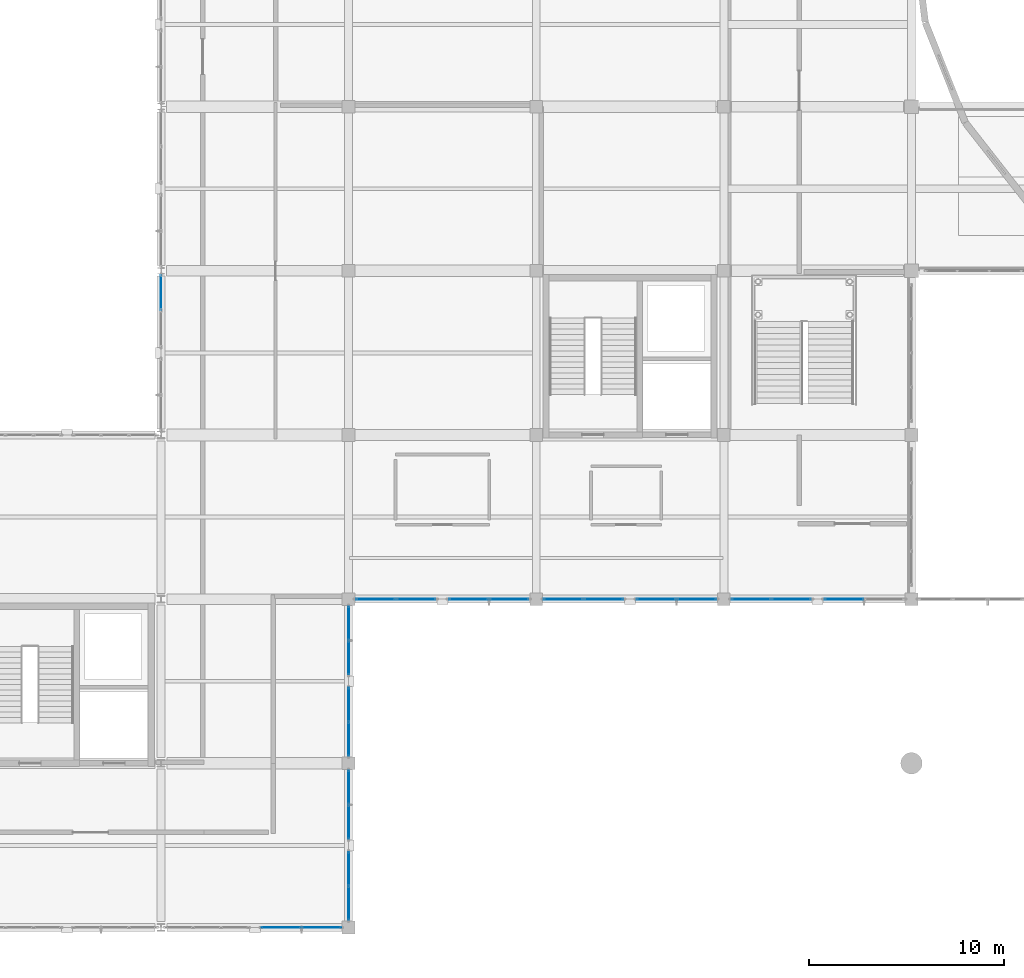
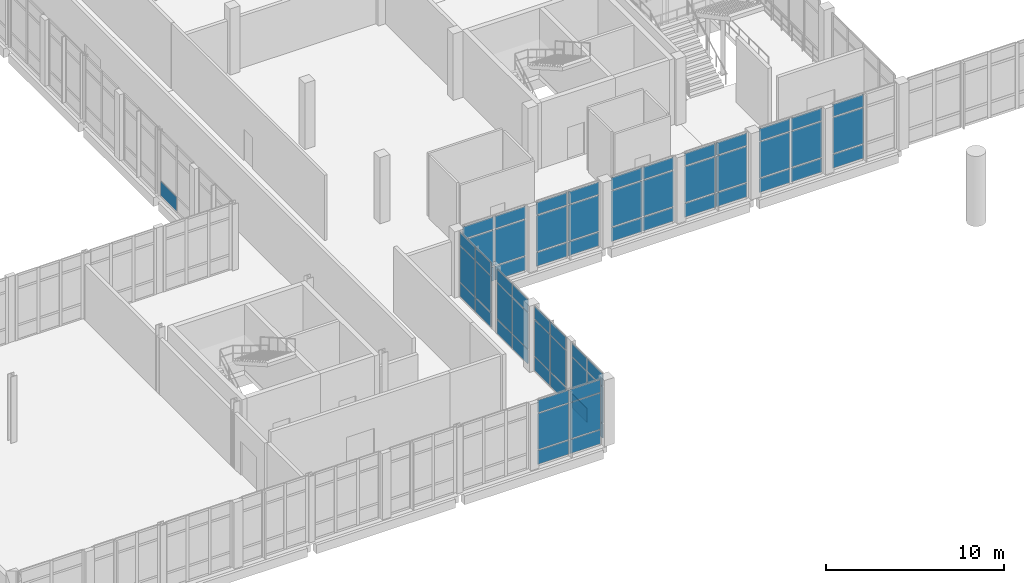
# One storey, part 76 of 102: 64 plates, 12 elements without a shape of their own.
"""IFC4 building model written with IfcOpenShell, lengths in metres."""

from ifc_helpers import new_model, si_unit, direction, frame, origin, origin_2d, place, context, subcontext, project, spatial, rectangle, extrude, material, layer, layer_set, type_object, element, aggregate, save


model = new_model("IFC4")

# Units and contexts
model_context = context("Model", 3, precision=1e-05, world=origin(), true_north=direction((0.0, 1.0)))
body_context = subcontext(model_context, "Body", "Model", "MODEL_VIEW")
ifc_project = project(units=[si_unit("LENGTHUNIT", "METRE"), si_unit("AREAUNIT", "SQUARE_METRE"), si_unit("VOLUMEUNIT", "CUBIC_METRE"), si_unit("PLANEANGLEUNIT", "RADIAN"), si_unit("MASSUNIT", "GRAM", prefix="KILO")], contexts=[model_context])

# Site, building, storey
site_placement = place(None, origin())
site = spatial("IfcSite", under=ifc_project, at=site_placement, CompositionType="ELEMENT")
building_placement = place(site_placement, origin())
building = spatial("IfcBuilding", under=site, at=building_placement, Name="Lornevale Opera House", CompositionType="ELEMENT")
storey_placement = place(building_placement, frame((0.0, 0.0, 5.39990234375)))
storey = spatial("IfcBuildingStorey", under=building, at=storey_placement, Name="L02", CompositionType="ELEMENT", Elevation=5.39990234375)

# Curtain wall, plates
ifc_material_1 = material(Name="Anodized Oxide-Green Aluminium Framing", Category="aluminium")
ifc_layer_1 = layer(ifc_material_1, 0.175048828125)
ifc_layer_set_1 = layer_set([ifc_layer_1], Name="Anodized Oxide-Green Aluminium Framing")
curtain_wall_type_1 = type_object("IfcCurtainWallType", Name="Chamber Cloister Curtain Wall M1700", PredefinedType="NOTDEFINED", material=ifc_layer_set_1)
curtain_wall_1_placement = place(storey_placement, origin())
curtain_wall_1 = element("IfcCurtainWall", 1, at=curtain_wall_1_placement, inside=storey, type_object=curtain_wall_type_1, Name="Chamber Cloister Curtain Wall M1700 CW-045", PredefinedType="NOTDEFINED")
ifc_material_2 = material(Name="Triple Low-E Insulated Glazing", Category="glass")
ifc_layer_2 = layer(ifc_material_2, 0.0419921875)
ifc_layer_set_2 = layer_set([ifc_layer_2], Name="Triple Low-E Insulated Glazing")
plate_type_1 = type_object("IfcPlateType", Name="Ceramic Fritted Bird-Safe Panel 42", PredefinedType="CURTAIN_PANEL", material=ifc_layer_set_2)
plate_1_placement = place(storey_placement, frame((37.012939453125, 0.0, 0.0654296875), z_axis=(0.0, 0.0, 1.0), x_axis=(-1.0, 0.0, 0.0)))
plate_1 = element("IfcPlate", 2, at=plate_1_placement, type_object=plate_type_1, Name="Ceramic Fritted Bird-Safe Panel 42 CW0940", PredefinedType="CURTAIN_PANEL", context=body_context, shape_type="SweptSolid", body=[
    extrude(rectangle(XDim=2.001953125, YDim=0.0419921875, at=origin_2d()), origin(), (0.0, 0.0, 1.0), 0.952392578125),
])
plate_2_placement = place(storey_placement, frame((37.012939453125, 0.0, 1.08251953125), z_axis=(0.0, 0.0, 1.0), x_axis=(-1.0, 0.0, 0.0)))
plate_2 = element("IfcPlate", 3, at=plate_2_placement, type_object=plate_type_1, Name="Ceramic Fritted Bird-Safe Panel 42 CW0941", PredefinedType="CURTAIN_PANEL", context=body_context, shape_type="SweptSolid", body=[
    extrude(rectangle(XDim=2.001953125, YDim=0.0419921875, at=origin_2d()), origin(), (0.0, 0.0, 1.0), 2.455078125),
])
plate_3_placement = place(storey_placement, frame((37.012939453125, 0.0, 3.6025390625), z_axis=(0.0, 0.0, 1.0), x_axis=(-1.0, 0.0, 0.0)))
plate_3 = element("IfcPlate", 4, at=plate_3_placement, type_object=plate_type_1, Name="Ceramic Fritted Bird-Safe Panel 42 CW0942", PredefinedType="CURTAIN_PANEL", context=body_context, shape_type="SweptSolid", body=[
    extrude(rectangle(XDim=2.001953125, YDim=0.0419921875, at=origin_2d()), origin(), (0.0, 0.0, 1.0), 0.8525390625),
])
plate_4_placement = place(storey_placement, frame((34.946044921875, 0.0, 0.0654296875), z_axis=(0.0, 0.0, 1.0), x_axis=(-1.0, 0.0, 0.0)))
plate_4 = element("IfcPlate", 5, at=plate_4_placement, type_object=plate_type_1, Name="Ceramic Fritted Bird-Safe Panel 42 CW0947", PredefinedType="CURTAIN_PANEL", context=body_context, shape_type="SweptSolid", body=[
    extrude(rectangle(XDim=2.001953125, YDim=0.0419921875, at=origin_2d()), origin(), (0.0, 0.0, 1.0), 0.952392578125),
])
plate_5_placement = place(storey_placement, frame((34.946044921875, 0.0, 1.08251953125), z_axis=(0.0, 0.0, 1.0), x_axis=(-1.0, 0.0, 0.0)))
plate_5 = element("IfcPlate", 6, at=plate_5_placement, type_object=plate_type_1, Name="Ceramic Fritted Bird-Safe Panel 42 CW0948", PredefinedType="CURTAIN_PANEL", context=body_context, shape_type="SweptSolid", body=[
    extrude(rectangle(XDim=2.001953125, YDim=0.0419921875, at=origin_2d()), origin(), (0.0, 0.0, 1.0), 2.455078125),
])
plate_6_placement = place(storey_placement, frame((34.946044921875, 0.0, 3.6025390625), z_axis=(0.0, 0.0, 1.0), x_axis=(-1.0, 0.0, 0.0)))
plate_6 = element("IfcPlate", 7, at=plate_6_placement, type_object=plate_type_1, Name="Ceramic Fritted Bird-Safe Panel 42 CW0949", PredefinedType="CURTAIN_PANEL", context=body_context, shape_type="SweptSolid", body=[
    extrude(rectangle(XDim=2.001953125, YDim=0.0419921875, at=origin_2d()), origin(), (0.0, 0.0, 1.0), 0.8525390625),
])
aggregate(curtain_wall_1, [plate_1, plate_2, plate_3, plate_4, plate_5, plate_6])

curtain_wall_2_placement = place(storey_placement, origin())
curtain_wall_2 = element("IfcCurtainWall", 8, at=curtain_wall_2_placement, inside=storey, type_object=curtain_wall_type_1, Name="Chamber Cloister Curtain Wall M1700 CW-047", PredefinedType="NOTDEFINED")
plate_7_placement = place(storey_placement, frame((38.39990234375, 7.1630859375, 0.0654296875), z_axis=(0.0, 0.0, 1.0), x_axis=(0.0, -1.0, 0.0)))
plate_7 = element("IfcPlate", 9, at=plate_7_placement, type_object=plate_type_1, Name="Ceramic Fritted Bird-Safe Panel 42 CW0982", PredefinedType="CURTAIN_PANEL", context=body_context, shape_type="SweptSolid", body=[
    extrude(rectangle(XDim=1.701904296875, YDim=0.0419921875, at=origin_2d()), origin(), (0.0, 0.0, 1.0), 0.952392578125),
])
plate_8_placement = place(storey_placement, frame((38.39990234375, 7.1630859375, 1.08251953125), z_axis=(0.0, 0.0, 1.0), x_axis=(0.0, -1.0, 0.0)))
plate_8 = element("IfcPlate", 10, at=plate_8_placement, type_object=plate_type_1, Name="Ceramic Fritted Bird-Safe Panel 42 CW0983", PredefinedType="CURTAIN_PANEL", context=body_context, shape_type="SweptSolid", body=[
    extrude(rectangle(XDim=1.701904296875, YDim=0.0419921875, at=origin_2d()), origin(), (0.0, 0.0, 1.0), 2.455078125),
])
plate_9_placement = place(storey_placement, frame((38.39990234375, 7.1630859375, 3.6025390625), z_axis=(0.0, 0.0, 1.0), x_axis=(0.0, -1.0, 0.0)))
plate_9 = element("IfcPlate", 11, at=plate_9_placement, type_object=plate_type_1, Name="Ceramic Fritted Bird-Safe Panel 42 CW0984", PredefinedType="CURTAIN_PANEL", context=body_context, shape_type="SweptSolid", body=[
    extrude(rectangle(XDim=1.701904296875, YDim=0.0419921875, at=origin_2d()), origin(), (0.0, 0.0, 1.0), 0.8525390625),
])
plate_10_placement = place(storey_placement, frame((38.39990234375, 5.39599609375, 0.0654296875), z_axis=(0.0, 0.0, 1.0), x_axis=(0.0, -1.0, 0.0)))
plate_10 = element("IfcPlate", 12, at=plate_10_placement, type_object=plate_type_1, Name="Ceramic Fritted Bird-Safe Panel 42 CW0989", PredefinedType="CURTAIN_PANEL", context=body_context, shape_type="SweptSolid", body=[
    extrude(rectangle(XDim=1.701904296875, YDim=0.0419921875, at=origin_2d()), origin(), (0.0, 0.0, 1.0), 0.952392578125),
])
plate_11_placement = place(storey_placement, frame((38.39990234375, 5.39599609375, 1.08251953125), z_axis=(0.0, 0.0, 1.0), x_axis=(0.0, -1.0, 0.0)))
plate_11 = element("IfcPlate", 13, at=plate_11_placement, type_object=plate_type_1, Name="Ceramic Fritted Bird-Safe Panel 42 CW0990", PredefinedType="CURTAIN_PANEL", context=body_context, shape_type="SweptSolid", body=[
    extrude(rectangle(XDim=1.701904296875, YDim=0.0419921875, at=origin_2d()), origin(), (0.0, 0.0, 1.0), 2.455078125),
])
plate_12_placement = place(storey_placement, frame((38.39990234375, 5.39599609375, 3.6025390625), z_axis=(0.0, 0.0, 1.0), x_axis=(0.0, -1.0, 0.0)))
plate_12 = element("IfcPlate", 14, at=plate_12_placement, type_object=plate_type_1, Name="Ceramic Fritted Bird-Safe Panel 42 CW0991", PredefinedType="CURTAIN_PANEL", context=body_context, shape_type="SweptSolid", body=[
    extrude(rectangle(XDim=1.701904296875, YDim=0.0419921875, at=origin_2d()), origin(), (0.0, 0.0, 1.0), 0.8525390625),
])
aggregate(curtain_wall_2, [plate_7, plate_8, plate_9, plate_10, plate_11, plate_12])

curtain_wall_3_placement = place(storey_placement, origin())
curtain_wall_3 = element("IfcCurtainWall", 15, at=curtain_wall_3_placement, inside=storey, type_object=curtain_wall_type_1, Name="Chamber Cloister Curtain Wall M1700 CW-048", PredefinedType="NOTDEFINED")
plate_13_placement = place(storey_placement, frame((38.39990234375, 3.00390625, 0.0654296875), z_axis=(0.0, 0.0, 1.0), x_axis=(0.0, -1.0, 0.0)))
plate_13 = element("IfcPlate", 16, at=plate_13_placement, type_object=plate_type_1, Name="Ceramic Fritted Bird-Safe Panel 42 CW0999", PredefinedType="CURTAIN_PANEL", context=body_context, shape_type="SweptSolid", body=[
    extrude(rectangle(XDim=1.701904296875, YDim=0.0419921875, at=origin_2d()), origin(), (0.0, 0.0, 1.0), 0.952392578125),
])
plate_14_placement = place(storey_placement, frame((38.39990234375, 3.00390625, 1.08251953125), z_axis=(0.0, 0.0, 1.0), x_axis=(0.0, -1.0, 0.0)))
plate_14 = element("IfcPlate", 17, at=plate_14_placement, type_object=plate_type_1, Name="Ceramic Fritted Bird-Safe Panel 42 CW1000", PredefinedType="CURTAIN_PANEL", context=body_context, shape_type="SweptSolid", body=[
    extrude(rectangle(XDim=1.701904296875, YDim=0.0419921875, at=origin_2d()), origin(), (0.0, 0.0, 1.0), 2.455078125),
])
plate_15_placement = place(storey_placement, frame((38.39990234375, 3.00390625, 3.6025390625), z_axis=(0.0, 0.0, 1.0), x_axis=(0.0, -1.0, 0.0)))
plate_15 = element("IfcPlate", 18, at=plate_15_placement, type_object=plate_type_1, Name="Ceramic Fritted Bird-Safe Panel 42 CW1001", PredefinedType="CURTAIN_PANEL", context=body_context, shape_type="SweptSolid", body=[
    extrude(rectangle(XDim=1.701904296875, YDim=0.0419921875, at=origin_2d()), origin(), (0.0, 0.0, 1.0), 0.8525390625),
])
plate_16_placement = place(storey_placement, frame((38.39990234375, 1.237060546875, 0.0654296875), z_axis=(0.0, 0.0, 1.0), x_axis=(0.0, -1.0, 0.0)))
plate_16 = element("IfcPlate", 19, at=plate_16_placement, type_object=plate_type_1, Name="Ceramic Fritted Bird-Safe Panel 42 CW1006", PredefinedType="CURTAIN_PANEL", context=body_context, shape_type="SweptSolid", body=[
    extrude(rectangle(XDim=1.701904296875, YDim=0.0419921875, at=origin_2d()), origin(), (0.0, 0.0, 1.0), 0.952392578125),
])
plate_17_placement = place(storey_placement, frame((38.39990234375, 1.237060546875, 1.08251953125), z_axis=(0.0, 0.0, 1.0), x_axis=(0.0, -1.0, 0.0)))
plate_17 = element("IfcPlate", 20, at=plate_17_placement, type_object=plate_type_1, Name="Ceramic Fritted Bird-Safe Panel 42 CW1007", PredefinedType="CURTAIN_PANEL", context=body_context, shape_type="SweptSolid", body=[
    extrude(rectangle(XDim=1.701904296875, YDim=0.0419921875, at=origin_2d()), origin(), (0.0, 0.0, 1.0), 2.455078125),
])
plate_18_placement = place(storey_placement, frame((38.39990234375, 1.237060546875, 3.6025390625), z_axis=(0.0, 0.0, 1.0), x_axis=(0.0, -1.0, 0.0)))
plate_18 = element("IfcPlate", 21, at=plate_18_placement, type_object=plate_type_1, Name="Ceramic Fritted Bird-Safe Panel 42 CW1008", PredefinedType="CURTAIN_PANEL", context=body_context, shape_type="SweptSolid", body=[
    extrude(rectangle(XDim=1.701904296875, YDim=0.0419921875, at=origin_2d()), origin(), (0.0, 0.0, 1.0), 0.8525390625),
])
aggregate(curtain_wall_3, [plate_13, plate_14, plate_15, plate_16, plate_17, plate_18])

curtain_wall_4_placement = place(storey_placement, origin())
curtain_wall_4 = element("IfcCurtainWall", 22, at=curtain_wall_4_placement, inside=storey, type_object=curtain_wall_type_1, Name="Chamber Cloister Curtain Wall M1700 CW-049", PredefinedType="NOTDEFINED")
plate_19_placement = place(storey_placement, frame((38.39990234375, 15.56298828125, 0.0654296875), z_axis=(0.0, 0.0, 1.0), x_axis=(0.0, -1.0, 0.0)))
plate_19 = element("IfcPlate", 23, at=plate_19_placement, type_object=plate_type_1, Name="Ceramic Fritted Bird-Safe Panel 42 CW1016", PredefinedType="CURTAIN_PANEL", context=body_context, shape_type="SweptSolid", body=[
    extrude(rectangle(XDim=1.701904296875, YDim=0.0419921875, at=origin_2d()), origin(), (0.0, 0.0, 1.0), 0.952392578125),
])
plate_20_placement = place(storey_placement, frame((38.39990234375, 15.56298828125, 1.08251953125), z_axis=(0.0, 0.0, 1.0), x_axis=(0.0, -1.0, 0.0)))
plate_20 = element("IfcPlate", 24, at=plate_20_placement, type_object=plate_type_1, Name="Ceramic Fritted Bird-Safe Panel 42 CW1017", PredefinedType="CURTAIN_PANEL", context=body_context, shape_type="SweptSolid", body=[
    extrude(rectangle(XDim=1.701904296875, YDim=0.0419921875, at=origin_2d()), origin(), (0.0, 0.0, 1.0), 2.455078125),
])
plate_21_placement = place(storey_placement, frame((38.39990234375, 15.56298828125, 3.6025390625), z_axis=(0.0, 0.0, 1.0), x_axis=(0.0, -1.0, 0.0)))
plate_21 = element("IfcPlate", 25, at=plate_21_placement, type_object=plate_type_1, Name="Ceramic Fritted Bird-Safe Panel 42 CW1018", PredefinedType="CURTAIN_PANEL", context=body_context, shape_type="SweptSolid", body=[
    extrude(rectangle(XDim=1.701904296875, YDim=0.0419921875, at=origin_2d()), origin(), (0.0, 0.0, 1.0), 0.8525390625),
])
plate_22_placement = place(storey_placement, frame((38.39990234375, 13.7958984375, 0.0654296875), z_axis=(0.0, 0.0, 1.0), x_axis=(0.0, -1.0, 0.0)))
plate_22 = element("IfcPlate", 26, at=plate_22_placement, type_object=plate_type_1, Name="Ceramic Fritted Bird-Safe Panel 42 CW1023", PredefinedType="CURTAIN_PANEL", context=body_context, shape_type="SweptSolid", body=[
    extrude(rectangle(XDim=1.701904296875, YDim=0.0419921875, at=origin_2d()), origin(), (0.0, 0.0, 1.0), 0.952392578125),
])
plate_23_placement = place(storey_placement, frame((38.39990234375, 13.7958984375, 1.08251953125), z_axis=(0.0, 0.0, 1.0), x_axis=(0.0, -1.0, 0.0)))
plate_23 = element("IfcPlate", 27, at=plate_23_placement, type_object=plate_type_1, Name="Ceramic Fritted Bird-Safe Panel 42 CW1024", PredefinedType="CURTAIN_PANEL", context=body_context, shape_type="SweptSolid", body=[
    extrude(rectangle(XDim=1.701904296875, YDim=0.0419921875, at=origin_2d()), origin(), (0.0, 0.0, 1.0), 2.455078125),
])
plate_24_placement = place(storey_placement, frame((38.39990234375, 13.7958984375, 3.6025390625), z_axis=(0.0, 0.0, 1.0), x_axis=(0.0, -1.0, 0.0)))
plate_24 = element("IfcPlate", 28, at=plate_24_placement, type_object=plate_type_1, Name="Ceramic Fritted Bird-Safe Panel 42 CW1025", PredefinedType="CURTAIN_PANEL", context=body_context, shape_type="SweptSolid", body=[
    extrude(rectangle(XDim=1.701904296875, YDim=0.0419921875, at=origin_2d()), origin(), (0.0, 0.0, 1.0), 0.8525390625),
])
aggregate(curtain_wall_4, [plate_19, plate_20, plate_21, plate_22, plate_23, plate_24])

curtain_wall_5_placement = place(storey_placement, origin())
curtain_wall_5 = element("IfcCurtainWall", 29, at=curtain_wall_5_placement, inside=storey, type_object=curtain_wall_type_1, Name="Chamber Cloister Curtain Wall M1700 CW-050", PredefinedType="NOTDEFINED")
plate_25_placement = place(storey_placement, frame((38.39990234375, 11.404052734375, 0.0654296875), z_axis=(0.0, 0.0, 1.0), x_axis=(0.0, -1.0, 0.0)))
plate_25 = element("IfcPlate", 30, at=plate_25_placement, type_object=plate_type_1, Name="Ceramic Fritted Bird-Safe Panel 42 CW1033", PredefinedType="CURTAIN_PANEL", context=body_context, shape_type="SweptSolid", body=[
    extrude(rectangle(XDim=1.701904296875, YDim=0.0419921875, at=origin_2d()), origin(), (0.0, 0.0, 1.0), 0.952392578125),
])
plate_26_placement = place(storey_placement, frame((38.39990234375, 11.404052734375, 1.08251953125), z_axis=(0.0, 0.0, 1.0), x_axis=(0.0, -1.0, 0.0)))
plate_26 = element("IfcPlate", 31, at=plate_26_placement, type_object=plate_type_1, Name="Ceramic Fritted Bird-Safe Panel 42 CW1034", PredefinedType="CURTAIN_PANEL", context=body_context, shape_type="SweptSolid", body=[
    extrude(rectangle(XDim=1.701904296875, YDim=0.0419921875, at=origin_2d()), origin(), (0.0, 0.0, 1.0), 2.455078125),
])
plate_27_placement = place(storey_placement, frame((38.39990234375, 11.404052734375, 3.6025390625), z_axis=(0.0, 0.0, 1.0), x_axis=(0.0, -1.0, 0.0)))
plate_27 = element("IfcPlate", 32, at=plate_27_placement, type_object=plate_type_1, Name="Ceramic Fritted Bird-Safe Panel 42 CW1035", PredefinedType="CURTAIN_PANEL", context=body_context, shape_type="SweptSolid", body=[
    extrude(rectangle(XDim=1.701904296875, YDim=0.0419921875, at=origin_2d()), origin(), (0.0, 0.0, 1.0), 0.8525390625),
])
plate_28_placement = place(storey_placement, frame((38.39990234375, 9.636962890625, 0.0654296875), z_axis=(0.0, 0.0, 1.0), x_axis=(0.0, -1.0, 0.0)))
plate_28 = element("IfcPlate", 33, at=plate_28_placement, type_object=plate_type_1, Name="Ceramic Fritted Bird-Safe Panel 42 CW1040", PredefinedType="CURTAIN_PANEL", context=body_context, shape_type="SweptSolid", body=[
    extrude(rectangle(XDim=1.701904296875, YDim=0.0419921875, at=origin_2d()), origin(), (0.0, 0.0, 1.0), 0.952392578125),
])
plate_29_placement = place(storey_placement, frame((38.39990234375, 9.636962890625, 1.08251953125), z_axis=(0.0, 0.0, 1.0), x_axis=(0.0, -1.0, 0.0)))
plate_29 = element("IfcPlate", 34, at=plate_29_placement, type_object=plate_type_1, Name="Ceramic Fritted Bird-Safe Panel 42 CW1041", PredefinedType="CURTAIN_PANEL", context=body_context, shape_type="SweptSolid", body=[
    extrude(rectangle(XDim=1.701904296875, YDim=0.0419921875, at=origin_2d()), origin(), (0.0, 0.0, 1.0), 2.455078125),
])
plate_30_placement = place(storey_placement, frame((38.39990234375, 9.636962890625, 3.6025390625), z_axis=(0.0, 0.0, 1.0), x_axis=(0.0, -1.0, 0.0)))
plate_30 = element("IfcPlate", 35, at=plate_30_placement, type_object=plate_type_1, Name="Ceramic Fritted Bird-Safe Panel 42 CW1042", PredefinedType="CURTAIN_PANEL", context=body_context, shape_type="SweptSolid", body=[
    extrude(rectangle(XDim=1.701904296875, YDim=0.0419921875, at=origin_2d()), origin(), (0.0, 0.0, 1.0), 0.8525390625),
])
aggregate(curtain_wall_5, [plate_25, plate_26, plate_27, plate_28, plate_29, plate_30])

# Curtain wall, plate
curtain_wall_6_placement = place(storey_placement, origin())
curtain_wall_6 = element("IfcCurtainWall", 36, at=curtain_wall_6_placement, inside=storey, type_object=curtain_wall_type_1, Name="Chamber Cloister Curtain Wall M1700 CW-052", PredefinedType="NOTDEFINED")
plate_31_placement = place(storey_placement, frame((28.800048828125, 32.485595703125, 0.0654296875), z_axis=(0.0, 0.0, 1.0), x_axis=(0.0, 1.0, 0.0)))
plate_31 = element("IfcPlate", 37, at=plate_31_placement, type_object=plate_type_1, Name="Ceramic Fritted Bird-Safe Panel 42 CW1074", PredefinedType="CURTAIN_PANEL", context=body_context, shape_type="SweptSolid", body=[
    extrude(rectangle(XDim=1.78369140625, YDim=0.0419921875, at=origin_2d()), origin(), (0.0, 0.0, 1.0), 0.952392578125),
])
aggregate(curtain_wall_6, [plate_31])

# Curtain wall, plates
ifc_layer_3 = layer(ifc_material_1, 0.219970703125)
ifc_layer_set_3 = layer_set([ifc_layer_3], Name="Anodized Oxide-Green Aluminium Framing")
curtain_wall_type_2 = type_object("IfcCurtainWallType", Name="Winter-Garden Curtain Wall M1900", PredefinedType="NOTDEFINED", material=ifc_layer_set_3)
curtain_wall_7_placement = place(storey_placement, origin())
curtain_wall_7 = element("IfcCurtainWall", 38, at=curtain_wall_7_placement, inside=storey, type_object=curtain_wall_type_2, Name="Winter-Garden Curtain Wall M1900 CW-063", PredefinedType="NOTDEFINED")
ifc_layer_4 = layer(ifc_material_2, 0.0380859375)
ifc_layer_set_4 = layer_set([ifc_layer_4], Name="Triple Low-E Insulated Glazing")
plate_type_2 = type_object("IfcPlateType", Name="Triple Low-E Vision Panel 38", PredefinedType="CURTAIN_PANEL", material=ifc_layer_set_4)
plate_32_placement = place(storey_placement, frame((46.610595703125, 16.800048828125, 0.074951171875), z_axis=(0.0, 0.0, 1.0), x_axis=(-1.0, 0.0, 0.0)))
plate_32 = element("IfcPlate", 39, at=plate_32_placement, type_object=plate_type_2, Name="Triple Low-E Vision Panel 38 CW1262", PredefinedType="CURTAIN_PANEL", context=body_context, shape_type="SweptSolid", body=[
    extrude(rectangle(XDim=1.987060546875, YDim=0.0380859375, at=origin_2d()), origin(), (0.0, 0.0, 1.0), 0.9375),
])
plate_33_placement = place(storey_placement, frame((46.610595703125, 16.800048828125, 1.08740234375), z_axis=(0.0, 0.0, 1.0), x_axis=(-1.0, 0.0, 0.0)))
plate_33 = element("IfcPlate", 40, at=plate_33_placement, type_object=plate_type_2, Name="Triple Low-E Vision Panel 38 CW1263", PredefinedType="CURTAIN_PANEL", context=body_context, shape_type="SweptSolid", body=[
    extrude(rectangle(XDim=1.987060546875, YDim=0.0380859375, at=origin_2d()), origin(), (0.0, 0.0, 1.0), 2.445068359375),
])
plate_34_placement = place(storey_placement, frame((46.610595703125, 16.800048828125, 3.607666015625), z_axis=(0.0, 0.0, 1.0), x_axis=(-1.0, 0.0, 0.0)))
plate_34 = element("IfcPlate", 41, at=plate_34_placement, type_object=plate_type_2, Name="Triple Low-E Vision Panel 38 CW1264", PredefinedType="CURTAIN_PANEL", context=body_context, shape_type="SweptSolid", body=[
    extrude(rectangle(XDim=1.987060546875, YDim=0.0380859375, at=origin_2d()), origin(), (0.0, 0.0, 1.0), 0.83740234375),
])
plate_35_placement = place(storey_placement, frame((44.548583984375, 16.800048828125, 0.074951171875), z_axis=(0.0, 0.0, 1.0), x_axis=(-1.0, 0.0, 0.0)))
plate_35 = element("IfcPlate", 42, at=plate_35_placement, type_object=plate_type_2, Name="Triple Low-E Vision Panel 38 CW1269", PredefinedType="CURTAIN_PANEL", context=body_context, shape_type="SweptSolid", body=[
    extrude(rectangle(XDim=1.987060546875, YDim=0.0380859375, at=origin_2d()), origin(), (0.0, 0.0, 1.0), 0.9375),
])
plate_36_placement = place(storey_placement, frame((44.548583984375, 16.800048828125, 1.08740234375), z_axis=(0.0, 0.0, 1.0), x_axis=(-1.0, 0.0, 0.0)))
plate_36 = element("IfcPlate", 43, at=plate_36_placement, type_object=plate_type_2, Name="Triple Low-E Vision Panel 38 CW1270", PredefinedType="CURTAIN_PANEL", context=body_context, shape_type="SweptSolid", body=[
    extrude(rectangle(XDim=1.987060546875, YDim=0.0380859375, at=origin_2d()), origin(), (0.0, 0.0, 1.0), 2.445068359375),
])
plate_37_placement = place(storey_placement, frame((44.548583984375, 16.800048828125, 3.607666015625), z_axis=(0.0, 0.0, 1.0), x_axis=(-1.0, 0.0, 0.0)))
plate_37 = element("IfcPlate", 44, at=plate_37_placement, type_object=plate_type_2, Name="Triple Low-E Vision Panel 38 CW1271", PredefinedType="CURTAIN_PANEL", context=body_context, shape_type="SweptSolid", body=[
    extrude(rectangle(XDim=1.987060546875, YDim=0.0380859375, at=origin_2d()), origin(), (0.0, 0.0, 1.0), 0.83740234375),
])
aggregate(curtain_wall_7, [plate_32, plate_33, plate_34, plate_35, plate_36, plate_37])

curtain_wall_8_placement = place(storey_placement, origin())
curtain_wall_8 = element("IfcCurtainWall", 45, at=curtain_wall_8_placement, inside=storey, type_object=curtain_wall_type_2, Name="Winter-Garden Curtain Wall M1900 CW-064", PredefinedType="NOTDEFINED")
plate_38_placement = place(storey_placement, frame((41.8515625, 16.800048828125, 0.074951171875), z_axis=(0.0, 0.0, 1.0), x_axis=(-1.0, 0.0, 0.0)))
plate_38 = element("IfcPlate", 46, at=plate_38_placement, type_object=plate_type_2, Name="Triple Low-E Vision Panel 38 CW1279", PredefinedType="CURTAIN_PANEL", context=body_context, shape_type="SweptSolid", body=[
    extrude(rectangle(XDim=1.987060546875, YDim=0.0380859375, at=origin_2d()), origin(), (0.0, 0.0, 1.0), 0.9375),
])
plate_39_placement = place(storey_placement, frame((41.8515625, 16.800048828125, 1.08740234375), z_axis=(0.0, 0.0, 1.0), x_axis=(-1.0, 0.0, 0.0)))
plate_39 = element("IfcPlate", 47, at=plate_39_placement, type_object=plate_type_2, Name="Triple Low-E Vision Panel 38 CW1280", PredefinedType="CURTAIN_PANEL", context=body_context, shape_type="SweptSolid", body=[
    extrude(rectangle(XDim=1.987060546875, YDim=0.0380859375, at=origin_2d()), origin(), (0.0, 0.0, 1.0), 2.445068359375),
])
plate_40_placement = place(storey_placement, frame((41.8515625, 16.800048828125, 3.607666015625), z_axis=(0.0, 0.0, 1.0), x_axis=(-1.0, 0.0, 0.0)))
plate_40 = element("IfcPlate", 48, at=plate_40_placement, type_object=plate_type_2, Name="Triple Low-E Vision Panel 38 CW1281", PredefinedType="CURTAIN_PANEL", context=body_context, shape_type="SweptSolid", body=[
    extrude(rectangle(XDim=1.987060546875, YDim=0.0380859375, at=origin_2d()), origin(), (0.0, 0.0, 1.0), 0.83740234375),
])
plate_41_placement = place(storey_placement, frame((39.78955078125, 16.800048828125, 0.074951171875), z_axis=(0.0, 0.0, 1.0), x_axis=(-1.0, 0.0, 0.0)))
plate_41 = element("IfcPlate", 49, at=plate_41_placement, type_object=plate_type_2, Name="Triple Low-E Vision Panel 38 CW1286", PredefinedType="CURTAIN_PANEL", context=body_context, shape_type="SweptSolid", body=[
    extrude(rectangle(XDim=1.987060546875, YDim=0.0380859375, at=origin_2d()), origin(), (0.0, 0.0, 1.0), 0.9375),
])
plate_42_placement = place(storey_placement, frame((39.78955078125, 16.800048828125, 1.08740234375), z_axis=(0.0, 0.0, 1.0), x_axis=(-1.0, 0.0, 0.0)))
plate_42 = element("IfcPlate", 50, at=plate_42_placement, type_object=plate_type_2, Name="Triple Low-E Vision Panel 38 CW1287", PredefinedType="CURTAIN_PANEL", context=body_context, shape_type="SweptSolid", body=[
    extrude(rectangle(XDim=1.987060546875, YDim=0.0380859375, at=origin_2d()), origin(), (0.0, 0.0, 1.0), 2.445068359375),
])
plate_43_placement = place(storey_placement, frame((39.78955078125, 16.800048828125, 3.607666015625), z_axis=(0.0, 0.0, 1.0), x_axis=(-1.0, 0.0, 0.0)))
plate_43 = element("IfcPlate", 51, at=plate_43_placement, type_object=plate_type_2, Name="Triple Low-E Vision Panel 38 CW1288", PredefinedType="CURTAIN_PANEL", context=body_context, shape_type="SweptSolid", body=[
    extrude(rectangle(XDim=1.987060546875, YDim=0.0380859375, at=origin_2d()), origin(), (0.0, 0.0, 1.0), 0.83740234375),
])
aggregate(curtain_wall_8, [plate_38, plate_39, plate_40, plate_41, plate_42, plate_43])

curtain_wall_9_placement = place(storey_placement, origin())
curtain_wall_9 = element("IfcCurtainWall", 52, at=curtain_wall_9_placement, inside=storey, type_object=curtain_wall_type_2, Name="Winter-Garden Curtain Wall M1900 CW-065", PredefinedType="NOTDEFINED")
plate_44_placement = place(storey_placement, frame((56.21044921875, 16.800048828125, 0.074951171875), z_axis=(0.0, 0.0, 1.0), x_axis=(-1.0, 0.0, 0.0)))
plate_44 = element("IfcPlate", 53, at=plate_44_placement, type_object=plate_type_2, Name="Triple Low-E Vision Panel 38 CW1296", PredefinedType="CURTAIN_PANEL", context=body_context, shape_type="SweptSolid", body=[
    extrude(rectangle(XDim=1.987060546875, YDim=0.0380859375, at=origin_2d()), origin(), (0.0, 0.0, 1.0), 0.9375),
])
plate_45_placement = place(storey_placement, frame((56.21044921875, 16.800048828125, 1.08740234375), z_axis=(0.0, 0.0, 1.0), x_axis=(-1.0, 0.0, 0.0)))
plate_45 = element("IfcPlate", 54, at=plate_45_placement, type_object=plate_type_2, Name="Triple Low-E Vision Panel 38 CW1297", PredefinedType="CURTAIN_PANEL", context=body_context, shape_type="SweptSolid", body=[
    extrude(rectangle(XDim=1.987060546875, YDim=0.0380859375, at=origin_2d()), origin(), (0.0, 0.0, 1.0), 2.445068359375),
])
plate_46_placement = place(storey_placement, frame((56.21044921875, 16.800048828125, 3.607666015625), z_axis=(0.0, 0.0, 1.0), x_axis=(-1.0, 0.0, 0.0)))
plate_46 = element("IfcPlate", 55, at=plate_46_placement, type_object=plate_type_2, Name="Triple Low-E Vision Panel 38 CW1298", PredefinedType="CURTAIN_PANEL", context=body_context, shape_type="SweptSolid", body=[
    extrude(rectangle(XDim=1.987060546875, YDim=0.0380859375, at=origin_2d()), origin(), (0.0, 0.0, 1.0), 0.83740234375),
])
plate_47_placement = place(storey_placement, frame((54.1484375, 16.800048828125, 0.074951171875), z_axis=(0.0, 0.0, 1.0), x_axis=(-1.0, 0.0, 0.0)))
plate_47 = element("IfcPlate", 56, at=plate_47_placement, type_object=plate_type_2, Name="Triple Low-E Vision Panel 38 CW1303", PredefinedType="CURTAIN_PANEL", context=body_context, shape_type="SweptSolid", body=[
    extrude(rectangle(XDim=1.987060546875, YDim=0.0380859375, at=origin_2d()), origin(), (0.0, 0.0, 1.0), 0.9375),
])
plate_48_placement = place(storey_placement, frame((54.1484375, 16.800048828125, 1.08740234375), z_axis=(0.0, 0.0, 1.0), x_axis=(-1.0, 0.0, 0.0)))
plate_48 = element("IfcPlate", 57, at=plate_48_placement, type_object=plate_type_2, Name="Triple Low-E Vision Panel 38 CW1304", PredefinedType="CURTAIN_PANEL", context=body_context, shape_type="SweptSolid", body=[
    extrude(rectangle(XDim=1.987060546875, YDim=0.0380859375, at=origin_2d()), origin(), (0.0, 0.0, 1.0), 2.445068359375),
])
plate_49_placement = place(storey_placement, frame((54.1484375, 16.800048828125, 3.607666015625), z_axis=(0.0, 0.0, 1.0), x_axis=(-1.0, 0.0, 0.0)))
plate_49 = element("IfcPlate", 58, at=plate_49_placement, type_object=plate_type_2, Name="Triple Low-E Vision Panel 38 CW1305", PredefinedType="CURTAIN_PANEL", context=body_context, shape_type="SweptSolid", body=[
    extrude(rectangle(XDim=1.987060546875, YDim=0.0380859375, at=origin_2d()), origin(), (0.0, 0.0, 1.0), 0.83740234375),
])
aggregate(curtain_wall_9, [plate_44, plate_45, plate_46, plate_47, plate_48, plate_49])

curtain_wall_10_placement = place(storey_placement, origin())
curtain_wall_10 = element("IfcCurtainWall", 59, at=curtain_wall_10_placement, inside=storey, type_object=curtain_wall_type_2, Name="Winter-Garden Curtain Wall M1900 CW-066", PredefinedType="NOTDEFINED")
plate_50_placement = place(storey_placement, frame((51.451416015625, 16.800048828125, 0.074951171875), z_axis=(0.0, 0.0, 1.0), x_axis=(-1.0, 0.0, 0.0)))
plate_50 = element("IfcPlate", 60, at=plate_50_placement, type_object=plate_type_2, Name="Triple Low-E Vision Panel 38 CW1313", PredefinedType="CURTAIN_PANEL", context=body_context, shape_type="SweptSolid", body=[
    extrude(rectangle(XDim=1.987060546875, YDim=0.0380859375, at=origin_2d()), origin(), (0.0, 0.0, 1.0), 0.9375),
])
plate_51_placement = place(storey_placement, frame((51.451416015625, 16.800048828125, 1.08740234375), z_axis=(0.0, 0.0, 1.0), x_axis=(-1.0, 0.0, 0.0)))
plate_51 = element("IfcPlate", 61, at=plate_51_placement, type_object=plate_type_2, Name="Triple Low-E Vision Panel 38 CW1314", PredefinedType="CURTAIN_PANEL", context=body_context, shape_type="SweptSolid", body=[
    extrude(rectangle(XDim=1.987060546875, YDim=0.0380859375, at=origin_2d()), origin(), (0.0, 0.0, 1.0), 2.445068359375),
])
plate_52_placement = place(storey_placement, frame((51.451416015625, 16.800048828125, 3.607666015625), z_axis=(0.0, 0.0, 1.0), x_axis=(-1.0, 0.0, 0.0)))
plate_52 = element("IfcPlate", 62, at=plate_52_placement, type_object=plate_type_2, Name="Triple Low-E Vision Panel 38 CW1315", PredefinedType="CURTAIN_PANEL", context=body_context, shape_type="SweptSolid", body=[
    extrude(rectangle(XDim=1.987060546875, YDim=0.0380859375, at=origin_2d()), origin(), (0.0, 0.0, 1.0), 0.83740234375),
])
plate_53_placement = place(storey_placement, frame((49.389404296875, 16.800048828125, 0.074951171875), z_axis=(0.0, 0.0, 1.0), x_axis=(-1.0, 0.0, 0.0)))
plate_53 = element("IfcPlate", 63, at=plate_53_placement, type_object=plate_type_2, Name="Triple Low-E Vision Panel 38 CW1320", PredefinedType="CURTAIN_PANEL", context=body_context, shape_type="SweptSolid", body=[
    extrude(rectangle(XDim=1.987060546875, YDim=0.0380859375, at=origin_2d()), origin(), (0.0, 0.0, 1.0), 0.9375),
])
plate_54_placement = place(storey_placement, frame((49.389404296875, 16.800048828125, 1.08740234375), z_axis=(0.0, 0.0, 1.0), x_axis=(-1.0, 0.0, 0.0)))
plate_54 = element("IfcPlate", 64, at=plate_54_placement, type_object=plate_type_2, Name="Triple Low-E Vision Panel 38 CW1321", PredefinedType="CURTAIN_PANEL", context=body_context, shape_type="SweptSolid", body=[
    extrude(rectangle(XDim=1.987060546875, YDim=0.0380859375, at=origin_2d()), origin(), (0.0, 0.0, 1.0), 2.445068359375),
])
plate_55_placement = place(storey_placement, frame((49.389404296875, 16.800048828125, 3.607666015625), z_axis=(0.0, 0.0, 1.0), x_axis=(-1.0, 0.0, 0.0)))
plate_55 = element("IfcPlate", 65, at=plate_55_placement, type_object=plate_type_2, Name="Triple Low-E Vision Panel 38 CW1322", PredefinedType="CURTAIN_PANEL", context=body_context, shape_type="SweptSolid", body=[
    extrude(rectangle(XDim=1.987060546875, YDim=0.0380859375, at=origin_2d()), origin(), (0.0, 0.0, 1.0), 0.83740234375),
])
aggregate(curtain_wall_10, [plate_50, plate_51, plate_52, plate_53, plate_54, plate_55])

curtain_wall_11_placement = place(storey_placement, origin())
curtain_wall_11 = element("IfcCurtainWall", 66, at=curtain_wall_11_placement, inside=storey, type_object=curtain_wall_type_2, Name="Winter-Garden Curtain Wall M1900 CW-067", PredefinedType="NOTDEFINED")
plate_56_placement = place(storey_placement, frame((63.74853515625, 16.800048828125, 0.074951171875), z_axis=(0.0, 0.0, 1.0), x_axis=(-1.0, 0.0, 0.0)))
plate_56 = element("IfcPlate", 67, at=plate_56_placement, type_object=plate_type_2, Name="Triple Low-E Vision Panel 38 CW1337", PredefinedType="CURTAIN_PANEL", context=body_context, shape_type="SweptSolid", body=[
    extrude(rectangle(XDim=1.987060546875, YDim=0.0380859375, at=origin_2d()), origin(), (0.0, 0.0, 1.0), 0.9375),
])
plate_57_placement = place(storey_placement, frame((63.74853515625, 16.800048828125, 1.08740234375), z_axis=(0.0, 0.0, 1.0), x_axis=(-1.0, 0.0, 0.0)))
plate_57 = element("IfcPlate", 68, at=plate_57_placement, type_object=plate_type_2, Name="Triple Low-E Vision Panel 38 CW1338", PredefinedType="CURTAIN_PANEL", context=body_context, shape_type="SweptSolid", body=[
    extrude(rectangle(XDim=1.987060546875, YDim=0.0380859375, at=origin_2d()), origin(), (0.0, 0.0, 1.0), 2.445068359375),
])
plate_58_placement = place(storey_placement, frame((63.74853515625, 16.800048828125, 3.607666015625), z_axis=(0.0, 0.0, 1.0), x_axis=(-1.0, 0.0, 0.0)))
plate_58 = element("IfcPlate", 69, at=plate_58_placement, type_object=plate_type_2, Name="Triple Low-E Vision Panel 38 CW1339", PredefinedType="CURTAIN_PANEL", context=body_context, shape_type="SweptSolid", body=[
    extrude(rectangle(XDim=1.987060546875, YDim=0.0380859375, at=origin_2d()), origin(), (0.0, 0.0, 1.0), 0.83740234375),
])
aggregate(curtain_wall_11, [plate_56, plate_57, plate_58])

curtain_wall_12_placement = place(storey_placement, origin())
curtain_wall_12 = element("IfcCurtainWall", 70, at=curtain_wall_12_placement, inside=storey, type_object=curtain_wall_type_2, Name="Winter-Garden Curtain Wall M1900 CW-068", PredefinedType="NOTDEFINED")
plate_59_placement = place(storey_placement, frame((61.051513671875, 16.800048828125, 0.074951171875), z_axis=(0.0, 0.0, 1.0), x_axis=(-1.0, 0.0, 0.0)))
plate_59 = element("IfcPlate", 71, at=plate_59_placement, type_object=plate_type_2, Name="Triple Low-E Vision Panel 38 CW1347", PredefinedType="CURTAIN_PANEL", context=body_context, shape_type="SweptSolid", body=[
    extrude(rectangle(XDim=1.987060546875, YDim=0.0380859375, at=origin_2d()), origin(), (0.0, 0.0, 1.0), 0.9375),
])
plate_60_placement = place(storey_placement, frame((61.051513671875, 16.800048828125, 1.08740234375), z_axis=(0.0, 0.0, 1.0), x_axis=(-1.0, 0.0, 0.0)))
plate_60 = element("IfcPlate", 72, at=plate_60_placement, type_object=plate_type_2, Name="Triple Low-E Vision Panel 38 CW1348", PredefinedType="CURTAIN_PANEL", context=body_context, shape_type="SweptSolid", body=[
    extrude(rectangle(XDim=1.987060546875, YDim=0.0380859375, at=origin_2d()), origin(), (0.0, 0.0, 1.0), 2.445068359375),
])
plate_61_placement = place(storey_placement, frame((61.051513671875, 16.800048828125, 3.607666015625), z_axis=(0.0, 0.0, 1.0), x_axis=(-1.0, 0.0, 0.0)))
plate_61 = element("IfcPlate", 73, at=plate_61_placement, type_object=plate_type_2, Name="Triple Low-E Vision Panel 38 CW1349", PredefinedType="CURTAIN_PANEL", context=body_context, shape_type="SweptSolid", body=[
    extrude(rectangle(XDim=1.987060546875, YDim=0.0380859375, at=origin_2d()), origin(), (0.0, 0.0, 1.0), 0.83740234375),
])
plate_62_placement = place(storey_placement, frame((58.989501953125, 16.800048828125, 0.074951171875), z_axis=(0.0, 0.0, 1.0), x_axis=(-1.0, 0.0, 0.0)))
plate_62 = element("IfcPlate", 74, at=plate_62_placement, type_object=plate_type_2, Name="Triple Low-E Vision Panel 38 CW1354", PredefinedType="CURTAIN_PANEL", context=body_context, shape_type="SweptSolid", body=[
    extrude(rectangle(XDim=1.987060546875, YDim=0.0380859375, at=origin_2d()), origin(), (0.0, 0.0, 1.0), 0.9375),
])
plate_63_placement = place(storey_placement, frame((58.989501953125, 16.800048828125, 1.08740234375), z_axis=(0.0, 0.0, 1.0), x_axis=(-1.0, 0.0, 0.0)))
plate_63 = element("IfcPlate", 75, at=plate_63_placement, type_object=plate_type_2, Name="Triple Low-E Vision Panel 38 CW1355", PredefinedType="CURTAIN_PANEL", context=body_context, shape_type="SweptSolid", body=[
    extrude(rectangle(XDim=1.987060546875, YDim=0.0380859375, at=origin_2d()), origin(), (0.0, 0.0, 1.0), 2.445068359375),
])
plate_64_placement = place(storey_placement, frame((58.989501953125, 16.800048828125, 3.607666015625), z_axis=(0.0, 0.0, 1.0), x_axis=(-1.0, 0.0, 0.0)))
plate_64 = element("IfcPlate", 76, at=plate_64_placement, type_object=plate_type_2, Name="Triple Low-E Vision Panel 38 CW1356", PredefinedType="CURTAIN_PANEL", context=body_context, shape_type="SweptSolid", body=[
    extrude(rectangle(XDim=1.987060546875, YDim=0.0380859375, at=origin_2d()), origin(), (0.0, 0.0, 1.0), 0.83740234375),
])
aggregate(curtain_wall_12, [plate_59, plate_60, plate_61, plate_62, plate_63, plate_64])

save(model, "model.ifc")
